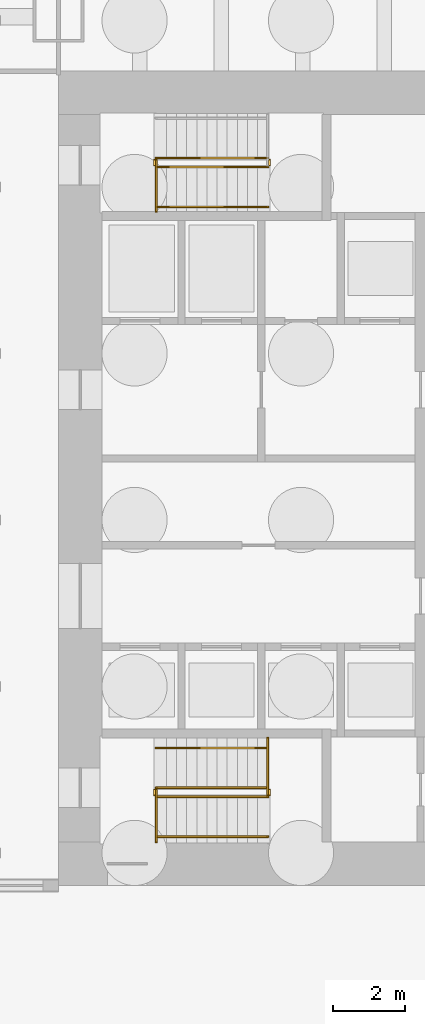
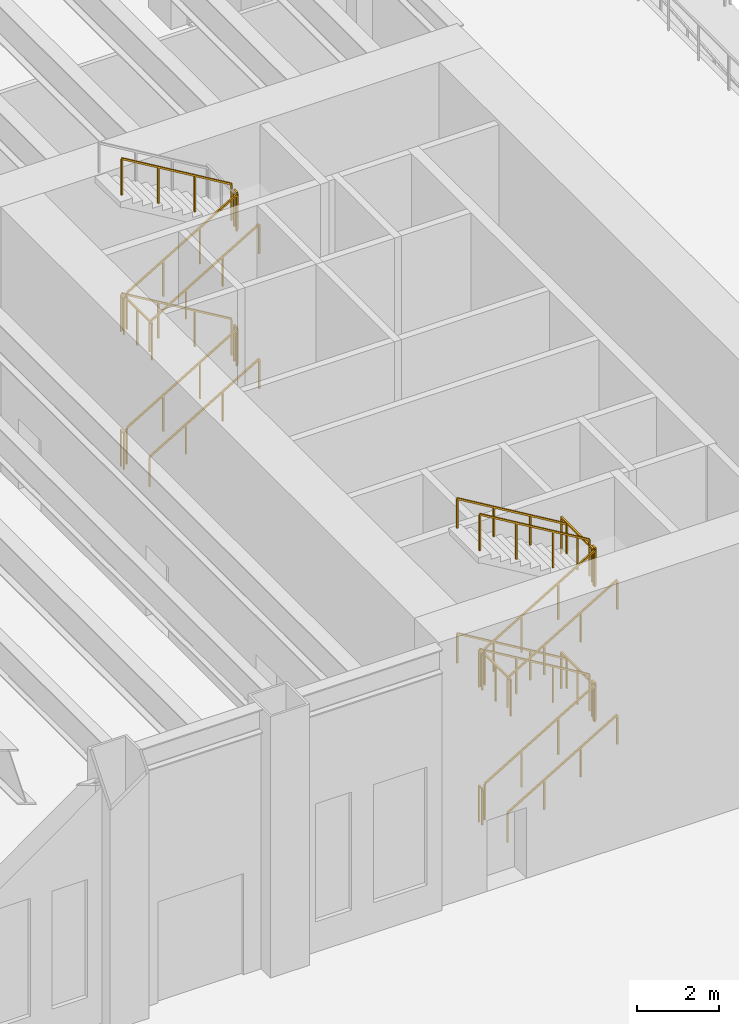
# One storey, part 20 of 26: 26 railings.
"""IFC4 building model written with IfcOpenShell, lengths in metres."""

from ifc_helpers import new_model, si_unit, direction, frame, origin, origin_2d, place, context, subcontext, project, spatial, rectangle, extrude, material, type_object, element, save


model = new_model("IFC4")

# Units and contexts
model_context = context("Model", 3, precision=1e-05, world=origin(), true_north=direction((0.0, 1.0)))
body_context = subcontext(model_context, "Body", "Model", "MODEL_VIEW")
ifc_project = project(units=[si_unit("LENGTHUNIT", "METRE"), si_unit("AREAUNIT", "SQUARE_METRE"), si_unit("VOLUMEUNIT", "CUBIC_METRE"), si_unit("PLANEANGLEUNIT", "RADIAN"), si_unit("MASSUNIT", "GRAM", prefix="KILO")], contexts=[model_context])

# Site, building, storey
site_placement = place(None, origin())
site = spatial("IfcSite", under=ifc_project, at=site_placement, CompositionType="ELEMENT")
building_placement = place(site_placement, origin())
building = spatial("IfcBuilding", under=site, at=building_placement, Name="Sennacour Bend Tower", CompositionType="ELEMENT")
storey_placement = place(building_placement, origin())
storey = spatial("IfcBuildingStorey", under=building, at=storey_placement, Name="L00", CompositionType="ELEMENT", Elevation=0.0)

# Railings
ifc_material = material(Name="Stainless steel", Category="steel")
railing_type_1 = type_object("IfcRailingType", Name="RL-GUARD-1100", PredefinedType="GUARDRAIL", material=ifc_material)
railing_1_placement = place(storey_placement, frame((56.699951171875, 2.449951171875, 0.166748046875)))
element("IfcRailing", 1, at=railing_1_placement, inside=storey, type_object=railing_type_1, Name="L00 SA1 stair guard 1", PredefinedType="GUARDRAIL", context=body_context, shape_type="SweptSolid", body=[
    extrude(rectangle(XDim=0.048095703125, YDim=0.048095703125, at=origin_2d()), frame((0.0, 0.0, 1.076171875), z_axis=(0.859308565015, 0.0, 0.511457515432), x_axis=(0.0, 1.0, 0.0)), (0.0, 0.0, 1.0), 3.58447265625),
    extrude(rectangle(XDim=0.0419921875, YDim=0.0419921875, at=origin_2d()), origin(), (0.0, 0.0, 1.0), 1.052001953125),
    extrude(rectangle(XDim=0.0419921875, YDim=0.0419921875, at=origin_2d()), frame((1.026611328125, 0.0, 0.611083984375)), (0.0, 0.0, 1.0), 1.052001953125),
    extrude(rectangle(XDim=0.0419921875, YDim=0.0419921875, at=origin_2d()), frame((2.053466796875, 0.0, 1.22216796875)), (0.0, 0.0, 1.0), 1.052001953125),
    extrude(rectangle(XDim=0.0419921875, YDim=0.0419921875, at=origin_2d()), frame((3.080078125, 0.0, 1.833251953125)), (0.0, 0.0, 1.0), 1.052001953125),
])
railing_2_placement = place(storey_placement, frame((59.830078125, 2.5, 2.0)))
element("IfcRailing", 2, at=railing_2_placement, inside=storey, type_object=railing_type_1, Name="L00 SA1 stair guard 2", PredefinedType="GUARDRAIL", context=body_context, shape_type="SweptSolid", body=[
    extrude(rectangle(XDim=0.048095703125, YDim=0.048095703125, at=origin_2d()), frame((0.0, 0.0, 1.076171875), z_axis=(0.0, 1.0, 0.0), x_axis=(-1.0, 0.0, 0.0)), (0.0, 0.0, 1.0), 0.14990234375),
    extrude(rectangle(XDim=0.0419921875, YDim=0.0419921875, at=origin_2d()), origin(), (0.0, 0.0, 1.0), 1.052001953125),
    extrude(rectangle(XDim=0.0419921875, YDim=0.0419921875, at=origin_2d()), frame((0.0, 0.14990234375, 0.0)), (0.0, 0.0, 1.0), 1.052001953125),
])
railing_3_placement = place(storey_placement, frame((59.780029296875, 2.699951171875, 2.166748046875)))
element("IfcRailing", 3, at=railing_3_placement, inside=storey, type_object=railing_type_1, Name="L00 SA1 stair guard 4", PredefinedType="GUARDRAIL", context=body_context, shape_type="SweptSolid", body=[
    extrude(rectangle(XDim=0.048095703125, YDim=0.048095703125, at=origin_2d()), frame((0.0, 0.0, 1.076171875), z_axis=(-0.859308565015, 0.0, 0.511457515432), x_axis=(0.0, -1.0, 0.0)), (0.0, 0.0, 1.0), 3.58447265625),
    extrude(rectangle(XDim=0.0419921875, YDim=0.0419921875, at=origin_2d()), origin(), (0.0, 0.0, 1.0), 1.052001953125),
    extrude(rectangle(XDim=0.0419921875, YDim=0.0419921875, at=origin_2d()), frame((-1.026611328125, 0.0, 0.611083984375)), (0.0, 0.0, 1.0), 1.052001953125),
    extrude(rectangle(XDim=0.0419921875, YDim=0.0419921875, at=origin_2d()), frame((-2.053466796875, 0.0, 1.22216796875)), (0.0, 0.0, 1.0), 1.052001953125),
    extrude(rectangle(XDim=0.0419921875, YDim=0.0419921875, at=origin_2d()), frame((-3.080078125, 0.0, 1.833251953125)), (0.0, 0.0, 1.0), 1.052001953125),
])
railing_4_placement = place(storey_placement, frame((56.64990234375, 2.5, 4.0)))
element("IfcRailing", 4, at=railing_4_placement, inside=storey, type_object=railing_type_1, Name="L00 SA1 stair guard 5", PredefinedType="GUARDRAIL", context=body_context, shape_type="SweptSolid", body=[
    extrude(rectangle(XDim=0.048095703125, YDim=0.048095703125, at=origin_2d()), frame((0.0, 0.0, 1.076171875), z_axis=(0.0, 1.0, 0.0), x_axis=(-1.0, 0.0, 0.0)), (0.0, 0.0, 1.0), 0.14990234375),
    extrude(rectangle(XDim=0.0419921875, YDim=0.0419921875, at=origin_2d()), origin(), (0.0, 0.0, 1.0), 1.052001953125),
    extrude(rectangle(XDim=0.0419921875, YDim=0.0419921875, at=origin_2d()), frame((0.0, 0.14990234375, 0.0)), (0.0, 0.0, 1.0), 1.052001953125),
])
railing_5_placement = place(storey_placement, frame((56.699951171875, 2.449951171875, 4.166748046875)))
element("IfcRailing", 5, at=railing_5_placement, inside=storey, type_object=railing_type_1, Name="L00 SA1 stair guard 8", PredefinedType="GUARDRAIL", context=body_context, shape_type="SweptSolid", body=[
    extrude(rectangle(XDim=0.048095703125, YDim=0.048095703125, at=origin_2d()), frame((0.0, 0.0, 1.076171875), z_axis=(0.859308565015, 0.0, 0.511457515432), x_axis=(0.0, 1.0, 0.0)), (0.0, 0.0, 1.0), 3.58447265625),
    extrude(rectangle(XDim=0.0419921875, YDim=0.0419921875, at=origin_2d()), origin(), (0.0, 0.0, 1.0), 1.052001953125),
    extrude(rectangle(XDim=0.0419921875, YDim=0.0419921875, at=origin_2d()), frame((1.026611328125, 0.0, 0.611083984375)), (0.0, 0.0, 1.0), 1.052001953125),
    extrude(rectangle(XDim=0.0419921875, YDim=0.0419921875, at=origin_2d()), frame((2.053466796875, 0.0, 1.22216796875)), (0.0, 0.0, 1.0), 1.052001953125),
    extrude(rectangle(XDim=0.0419921875, YDim=0.0419921875, at=origin_2d()), frame((3.080078125, 0.0, 1.833251953125)), (0.0, 0.0, 1.0), 1.052001953125),
])
railing_6_placement = place(storey_placement, frame((59.830078125, 2.5, 6.0)))
element("IfcRailing", 6, at=railing_6_placement, inside=storey, type_object=railing_type_1, Name="L00 SA1 stair guard 9", PredefinedType="GUARDRAIL", context=body_context, shape_type="SweptSolid", body=[
    extrude(rectangle(XDim=0.048095703125, YDim=0.048095703125, at=origin_2d()), frame((0.0, 0.0, 1.076171875), z_axis=(0.0, 1.0, 0.0), x_axis=(-1.0, 0.0, 0.0)), (0.0, 0.0, 1.0), 0.14990234375),
    extrude(rectangle(XDim=0.0419921875, YDim=0.0419921875, at=origin_2d()), origin(), (0.0, 0.0, 1.0), 1.052001953125),
    extrude(rectangle(XDim=0.0419921875, YDim=0.0419921875, at=origin_2d()), frame((0.0, 0.14990234375, 0.0)), (0.0, 0.0, 1.0), 1.052001953125),
])
railing_7_placement = place(storey_placement, frame((59.780029296875, 2.699951171875, 6.166748046875)))
element("IfcRailing", 7, at=railing_7_placement, inside=storey, type_object=railing_type_1, Name="L00 SA1 stair guard 11", PredefinedType="GUARDRAIL", context=body_context, shape_type="SweptSolid", body=[
    extrude(rectangle(XDim=0.048095703125, YDim=0.048095703125, at=origin_2d()), frame((0.0, 0.0, 1.076171875), z_axis=(-0.859308565015, 0.0, 0.511457515432), x_axis=(0.0, -1.0, 0.0)), (0.0, 0.0, 1.0), 3.58447265625),
    extrude(rectangle(XDim=0.0419921875, YDim=0.0419921875, at=origin_2d()), origin(), (0.0, 0.0, 1.0), 1.052001953125),
    extrude(rectangle(XDim=0.0419921875, YDim=0.0419921875, at=origin_2d()), frame((-1.026611328125, 0.0, 0.611083984375)), (0.0, 0.0, 1.0), 1.052001953125),
    extrude(rectangle(XDim=0.0419921875, YDim=0.0419921875, at=origin_2d()), frame((-2.053466796875, 0.0, 1.22216796875)), (0.0, 0.0, 1.0), 1.052001953125),
    extrude(rectangle(XDim=0.0419921875, YDim=0.0419921875, at=origin_2d()), frame((-3.080078125, 0.0, 1.833251953125)), (0.0, 0.0, 1.0), 1.052001953125),
])
railing_8_placement = place(storey_placement, frame((56.64990234375, 2.5, 0.0)))
element("IfcRailing", 8, at=railing_8_placement, inside=storey, type_object=railing_type_1, Name="L00 SA1 stair guard 12", PredefinedType="GUARDRAIL", context=body_context, shape_type="SweptSolid", body=[
    extrude(rectangle(XDim=0.048095703125, YDim=0.048095703125, at=origin_2d()), frame((0.0, 0.0, 1.076171875), z_axis=(0.0, 1.0, 0.0), x_axis=(-1.0, 0.0, 0.0)), (0.0, 0.0, 1.0), 0.14990234375),
    extrude(rectangle(XDim=0.0419921875, YDim=0.0419921875, at=origin_2d()), origin(), (0.0, 0.0, 1.0), 1.052001953125),
    extrude(rectangle(XDim=0.0419921875, YDim=0.0419921875, at=origin_2d()), frame((0.0, 0.14990234375, 0.0)), (0.0, 0.0, 1.0), 1.052001953125),
])
railing_9_placement = place(storey_placement, frame((59.780029296875, 2.5, 2.0)))
element("IfcRailing", 9, at=railing_9_placement, inside=storey, type_object=railing_type_1, Name="L00 SA1 landing edge guard 1", PredefinedType="GUARDRAIL", context=body_context, shape_type="SweptSolid", body=[
    extrude(rectangle(XDim=0.048095703125, YDim=0.048095703125, at=origin_2d()), frame((0.0, 0.0, 1.076171875), z_axis=(0.0, 1.0, 0.0), x_axis=(-1.0, 0.0, 0.0)), (0.0, 0.0, 1.0), 1.574951171875),
    extrude(rectangle(XDim=0.0419921875, YDim=0.0419921875, at=origin_2d()), origin(), (0.0, 0.0, 1.0), 1.052001953125),
    extrude(rectangle(XDim=0.0419921875, YDim=0.0419921875, at=origin_2d()), frame((0.0, 0.78759765625, 0.0)), (0.0, 0.0, 1.0), 1.052001953125),
    extrude(rectangle(XDim=0.0419921875, YDim=0.0419921875, at=origin_2d()), frame((0.0, 1.574951171875, 0.0)), (0.0, 0.0, 1.0), 1.052001953125),
])
railing_10_placement = place(storey_placement, frame((56.699951171875, 2.64990234375, 4.0)))
element("IfcRailing", 10, at=railing_10_placement, inside=storey, type_object=railing_type_1, Name="L00 SA1 landing edge guard 2", PredefinedType="GUARDRAIL", context=body_context, shape_type="SweptSolid", body=[
    extrude(rectangle(XDim=0.048095703125, YDim=0.048095703125, at=origin_2d()), frame((0.0, 0.0, 1.076171875), z_axis=(0.0, -1.0, 0.0), x_axis=(1.0, 0.0, 0.0)), (0.0, 0.0, 1.0), 1.449951171875),
    extrude(rectangle(XDim=0.0419921875, YDim=0.0419921875, at=origin_2d()), origin(), (0.0, 0.0, 1.0), 1.052001953125),
    extrude(rectangle(XDim=0.0419921875, YDim=0.0419921875, at=origin_2d()), frame((0.0, -0.72509765625, 0.0)), (0.0, 0.0, 1.0), 1.052001953125),
    extrude(rectangle(XDim=0.0419921875, YDim=0.0419921875, at=origin_2d()), frame((0.0, -1.449951171875, 0.0)), (0.0, 0.0, 1.0), 1.052001953125),
])
railing_11_placement = place(storey_placement, frame((59.780029296875, 2.5, 6.0)))
element("IfcRailing", 11, at=railing_11_placement, inside=storey, type_object=railing_type_1, Name="L00 SA1 landing edge guard 3", PredefinedType="GUARDRAIL", context=body_context, shape_type="SweptSolid", body=[
    extrude(rectangle(XDim=0.048095703125, YDim=0.048095703125, at=origin_2d()), frame((0.0, 0.0, 1.076171875), z_axis=(0.0, 1.0, 0.0), x_axis=(-1.0, 0.0, 0.0)), (0.0, 0.0, 1.0), 1.574951171875),
    extrude(rectangle(XDim=0.0419921875, YDim=0.0419921875, at=origin_2d()), origin(), (0.0, 0.0, 1.0), 1.052001953125),
    extrude(rectangle(XDim=0.0419921875, YDim=0.0419921875, at=origin_2d()), frame((0.0, 0.78759765625, 0.0)), (0.0, 0.0, 1.0), 1.052001953125),
    extrude(rectangle(XDim=0.0419921875, YDim=0.0419921875, at=origin_2d()), frame((0.0, 1.574951171875, 0.0)), (0.0, 0.0, 1.0), 1.052001953125),
])
railing_12_placement = place(storey_placement, frame((56.699951171875, 19.85009765625, 0.166748046875)))
element("IfcRailing", 12, at=railing_12_placement, inside=storey, type_object=railing_type_1, Name="L00 SA2 stair guard 1", PredefinedType="GUARDRAIL", context=body_context, shape_type="SweptSolid", body=[
    extrude(rectangle(XDim=0.048095703125, YDim=0.048095703125, at=origin_2d()), frame((0.0, 0.0, 1.076171875), z_axis=(0.859308565015, 0.0, 0.511457515432), x_axis=(0.0, 1.0, 0.0)), (0.0, 0.0, 1.0), 3.58447265625),
    extrude(rectangle(XDim=0.0419921875, YDim=0.0419921875, at=origin_2d()), origin(), (0.0, 0.0, 1.0), 1.052001953125),
    extrude(rectangle(XDim=0.0419921875, YDim=0.0419921875, at=origin_2d()), frame((1.026611328125, 0.0, 0.611083984375)), (0.0, 0.0, 1.0), 1.052001953125),
    extrude(rectangle(XDim=0.0419921875, YDim=0.0419921875, at=origin_2d()), frame((2.053466796875, 0.0, 1.22216796875)), (0.0, 0.0, 1.0), 1.052001953125),
    extrude(rectangle(XDim=0.0419921875, YDim=0.0419921875, at=origin_2d()), frame((3.080078125, 0.0, 1.833251953125)), (0.0, 0.0, 1.0), 1.052001953125),
])
railing_13_placement = place(storey_placement, frame((59.830078125, 19.89990234375, 2.0)))
element("IfcRailing", 13, at=railing_13_placement, inside=storey, type_object=railing_type_1, Name="L00 SA2 stair guard 2", PredefinedType="GUARDRAIL", context=body_context, shape_type="SweptSolid", body=[
    extrude(rectangle(XDim=0.048095703125, YDim=0.048095703125, at=origin_2d()), frame((0.0, 0.0, 1.076171875), z_axis=(0.0, 1.0, 0.0), x_axis=(-1.0, 0.0, 0.0)), (0.0, 0.0, 1.0), 0.150146484375),
    extrude(rectangle(XDim=0.0419921875, YDim=0.0419921875, at=origin_2d()), origin(), (0.0, 0.0, 1.0), 1.052001953125),
    extrude(rectangle(XDim=0.0419921875, YDim=0.0419921875, at=origin_2d()), frame((0.0, 0.150146484375, 0.0)), (0.0, 0.0, 1.0), 1.052001953125),
])
railing_14_placement = place(storey_placement, frame((59.780029296875, 20.10009765625, 2.166748046875)))
element("IfcRailing", 14, at=railing_14_placement, inside=storey, type_object=railing_type_1, Name="L00 SA2 stair guard 4", PredefinedType="GUARDRAIL", context=body_context, shape_type="SweptSolid", body=[
    extrude(rectangle(XDim=0.048095703125, YDim=0.048095703125, at=origin_2d()), frame((0.0, 0.0, 1.076171875), z_axis=(-0.859308565015, 0.0, 0.511457515432), x_axis=(0.0, -1.0, 0.0)), (0.0, 0.0, 1.0), 3.58447265625),
    extrude(rectangle(XDim=0.0419921875, YDim=0.0419921875, at=origin_2d()), origin(), (0.0, 0.0, 1.0), 1.052001953125),
    extrude(rectangle(XDim=0.0419921875, YDim=0.0419921875, at=origin_2d()), frame((-1.026611328125, 0.0, 0.611083984375)), (0.0, 0.0, 1.0), 1.052001953125),
    extrude(rectangle(XDim=0.0419921875, YDim=0.0419921875, at=origin_2d()), frame((-2.053466796875, 0.0, 1.22216796875)), (0.0, 0.0, 1.0), 1.052001953125),
    extrude(rectangle(XDim=0.0419921875, YDim=0.0419921875, at=origin_2d()), frame((-3.080078125, 0.0, 1.833251953125)), (0.0, 0.0, 1.0), 1.052001953125),
])
railing_15_placement = place(storey_placement, frame((56.64990234375, 19.89990234375, 4.0)))
element("IfcRailing", 15, at=railing_15_placement, inside=storey, type_object=railing_type_1, Name="L00 SA2 stair guard 5", PredefinedType="GUARDRAIL", context=body_context, shape_type="SweptSolid", body=[
    extrude(rectangle(XDim=0.048095703125, YDim=0.048095703125, at=origin_2d()), frame((0.0, 0.0, 1.076171875), z_axis=(0.0, 1.0, 0.0), x_axis=(-1.0, 0.0, 0.0)), (0.0, 0.0, 1.0), 0.150146484375),
    extrude(rectangle(XDim=0.0419921875, YDim=0.0419921875, at=origin_2d()), origin(), (0.0, 0.0, 1.0), 1.052001953125),
    extrude(rectangle(XDim=0.0419921875, YDim=0.0419921875, at=origin_2d()), frame((0.0, 0.150146484375, 0.0)), (0.0, 0.0, 1.0), 1.052001953125),
])
railing_16_placement = place(storey_placement, frame((56.699951171875, 19.85009765625, 4.166748046875)))
element("IfcRailing", 16, at=railing_16_placement, inside=storey, type_object=railing_type_1, Name="L00 SA2 stair guard 8", PredefinedType="GUARDRAIL", context=body_context, shape_type="SweptSolid", body=[
    extrude(rectangle(XDim=0.048095703125, YDim=0.048095703125, at=origin_2d()), frame((0.0, 0.0, 1.076171875), z_axis=(0.859308565015, 0.0, 0.511457515432), x_axis=(0.0, 1.0, 0.0)), (0.0, 0.0, 1.0), 3.58447265625),
    extrude(rectangle(XDim=0.0419921875, YDim=0.0419921875, at=origin_2d()), origin(), (0.0, 0.0, 1.0), 1.052001953125),
    extrude(rectangle(XDim=0.0419921875, YDim=0.0419921875, at=origin_2d()), frame((1.026611328125, 0.0, 0.611083984375)), (0.0, 0.0, 1.0), 1.052001953125),
    extrude(rectangle(XDim=0.0419921875, YDim=0.0419921875, at=origin_2d()), frame((2.053466796875, 0.0, 1.22216796875)), (0.0, 0.0, 1.0), 1.052001953125),
    extrude(rectangle(XDim=0.0419921875, YDim=0.0419921875, at=origin_2d()), frame((3.080078125, 0.0, 1.833251953125)), (0.0, 0.0, 1.0), 1.052001953125),
])
railing_17_placement = place(storey_placement, frame((59.830078125, 19.89990234375, 6.0)))
element("IfcRailing", 17, at=railing_17_placement, inside=storey, type_object=railing_type_1, Name="L00 SA2 stair guard 9", PredefinedType="GUARDRAIL", context=body_context, shape_type="SweptSolid", body=[
    extrude(rectangle(XDim=0.048095703125, YDim=0.048095703125, at=origin_2d()), frame((0.0, 0.0, 1.076171875), z_axis=(0.0, 1.0, 0.0), x_axis=(-1.0, 0.0, 0.0)), (0.0, 0.0, 1.0), 0.150146484375),
    extrude(rectangle(XDim=0.0419921875, YDim=0.0419921875, at=origin_2d()), origin(), (0.0, 0.0, 1.0), 1.052001953125),
    extrude(rectangle(XDim=0.0419921875, YDim=0.0419921875, at=origin_2d()), frame((0.0, 0.150146484375, 0.0)), (0.0, 0.0, 1.0), 1.052001953125),
])
railing_18_placement = place(storey_placement, frame((59.780029296875, 20.10009765625, 6.166748046875)))
element("IfcRailing", 18, at=railing_18_placement, inside=storey, type_object=railing_type_1, Name="L00 SA2 stair guard 11", PredefinedType="GUARDRAIL", context=body_context, shape_type="SweptSolid", body=[
    extrude(rectangle(XDim=0.048095703125, YDim=0.048095703125, at=origin_2d()), frame((0.0, 0.0, 1.076171875), z_axis=(-0.859308565015, 0.0, 0.511457515432), x_axis=(0.0, -1.0, 0.0)), (0.0, 0.0, 1.0), 3.58447265625),
    extrude(rectangle(XDim=0.0419921875, YDim=0.0419921875, at=origin_2d()), origin(), (0.0, 0.0, 1.0), 1.052001953125),
    extrude(rectangle(XDim=0.0419921875, YDim=0.0419921875, at=origin_2d()), frame((-1.026611328125, 0.0, 0.611083984375)), (0.0, 0.0, 1.0), 1.052001953125),
    extrude(rectangle(XDim=0.0419921875, YDim=0.0419921875, at=origin_2d()), frame((-2.053466796875, 0.0, 1.22216796875)), (0.0, 0.0, 1.0), 1.052001953125),
    extrude(rectangle(XDim=0.0419921875, YDim=0.0419921875, at=origin_2d()), frame((-3.080078125, 0.0, 1.833251953125)), (0.0, 0.0, 1.0), 1.052001953125),
])
railing_19_placement = place(storey_placement, frame((56.64990234375, 19.89990234375, 0.0)))
element("IfcRailing", 19, at=railing_19_placement, inside=storey, type_object=railing_type_1, Name="L00 SA2 stair guard 12", PredefinedType="GUARDRAIL", context=body_context, shape_type="SweptSolid", body=[
    extrude(rectangle(XDim=0.048095703125, YDim=0.048095703125, at=origin_2d()), frame((0.0, 0.0, 1.076171875), z_axis=(0.0, 1.0, 0.0), x_axis=(-1.0, 0.0, 0.0)), (0.0, 0.0, 1.0), 0.150146484375),
    extrude(rectangle(XDim=0.0419921875, YDim=0.0419921875, at=origin_2d()), origin(), (0.0, 0.0, 1.0), 1.052001953125),
    extrude(rectangle(XDim=0.0419921875, YDim=0.0419921875, at=origin_2d()), frame((0.0, 0.150146484375, 0.0)), (0.0, 0.0, 1.0), 1.052001953125),
])
railing_20_placement = place(storey_placement, frame((56.699951171875, 20.050048828125, 4.0)))
element("IfcRailing", 20, at=railing_20_placement, inside=storey, type_object=railing_type_1, Name="L00 SA2 landing edge guard 2", PredefinedType="GUARDRAIL", context=body_context, shape_type="SweptSolid", body=[
    extrude(rectangle(XDim=0.048095703125, YDim=0.048095703125, at=origin_2d()), frame((0.0, 0.0, 1.076171875), z_axis=(0.0, -1.0, 0.0), x_axis=(1.0, 0.0, 0.0)), (0.0, 0.0, 1.0), 1.425048828125),
    extrude(rectangle(XDim=0.0419921875, YDim=0.0419921875, at=origin_2d()), origin(), (0.0, 0.0, 1.0), 1.052001953125),
    extrude(rectangle(XDim=0.0419921875, YDim=0.0419921875, at=origin_2d()), frame((0.0, -0.71240234375, 0.0)), (0.0, 0.0, 1.0), 1.052001953125),
    extrude(rectangle(XDim=0.0419921875, YDim=0.0419921875, at=origin_2d()), frame((0.0, -1.425048828125, 0.0)), (0.0, 0.0, 1.0), 1.052001953125),
])
railing_type_2 = type_object("IfcRailingType", Name="RL-HANDRAIL-900", PredefinedType="HANDRAIL", material=ifc_material)
railing_21_placement = place(storey_placement, frame((56.699951171875, 1.35009765625, 0.166748046875)))
element("IfcRailing", 21, at=railing_21_placement, inside=storey, type_object=railing_type_2, Name="L00 SA1 stair handrail 1", PredefinedType="HANDRAIL", context=body_context, shape_type="SweptSolid", body=[
    extrude(rectangle(XDim=0.048095703125, YDim=0.048095703125, at=origin_2d()), frame((0.0, 0.0, 0.8759765625), z_axis=(0.859308565015, 0.0, 0.511457515432), x_axis=(0.0, 1.0, 0.0)), (0.0, 0.0, 1.0), 3.58447265625),
    extrude(rectangle(XDim=0.0419921875, YDim=0.0419921875, at=origin_2d()), origin(), (0.0, 0.0, 1.0), 0.851806640625),
    extrude(rectangle(XDim=0.0419921875, YDim=0.0419921875, at=origin_2d()), frame((1.026611328125, 0.0, 0.611083984375)), (0.0, 0.0, 1.0), 0.851806640625),
    extrude(rectangle(XDim=0.0419921875, YDim=0.0419921875, at=origin_2d()), frame((2.053466796875, 0.0, 1.22216796875)), (0.0, 0.0, 1.0), 0.851806640625),
    extrude(rectangle(XDim=0.0419921875, YDim=0.0419921875, at=origin_2d()), frame((3.080078125, 0.0, 1.833251953125)), (0.0, 0.0, 1.0), 0.851806640625),
])
railing_22_placement = place(storey_placement, frame((59.780029296875, 3.800048828125, 2.166748046875)))
element("IfcRailing", 22, at=railing_22_placement, inside=storey, type_object=railing_type_2, Name="L00 SA1 stair handrail 2", PredefinedType="HANDRAIL", context=body_context, shape_type="SweptSolid", body=[
    extrude(rectangle(XDim=0.048095703125, YDim=0.048095703125, at=origin_2d()), frame((0.0, 0.0, 0.8759765625), z_axis=(-0.859308565015, 0.0, 0.511457515432), x_axis=(0.0, -1.0, 0.0)), (0.0, 0.0, 1.0), 3.58447265625),
    extrude(rectangle(XDim=0.0419921875, YDim=0.0419921875, at=origin_2d()), origin(), (0.0, 0.0, 1.0), 0.851806640625),
    extrude(rectangle(XDim=0.0419921875, YDim=0.0419921875, at=origin_2d()), frame((-1.026611328125, 0.0, 0.611083984375)), (0.0, 0.0, 1.0), 0.851806640625),
    extrude(rectangle(XDim=0.0419921875, YDim=0.0419921875, at=origin_2d()), frame((-2.053466796875, 0.0, 1.22216796875)), (0.0, 0.0, 1.0), 0.851806640625),
    extrude(rectangle(XDim=0.0419921875, YDim=0.0419921875, at=origin_2d()), frame((-3.080078125, 0.0, 1.833251953125)), (0.0, 0.0, 1.0), 0.851806640625),
])
railing_23_placement = place(storey_placement, frame((56.699951171875, 1.35009765625, 4.166748046875)))
element("IfcRailing", 23, at=railing_23_placement, inside=storey, type_object=railing_type_2, Name="L00 SA1 stair handrail 3", PredefinedType="HANDRAIL", context=body_context, shape_type="SweptSolid", body=[
    extrude(rectangle(XDim=0.048095703125, YDim=0.048095703125, at=origin_2d()), frame((0.0, 0.0, 0.8759765625), z_axis=(0.859308565015, 0.0, 0.511457515432), x_axis=(0.0, 1.0, 0.0)), (0.0, 0.0, 1.0), 3.58447265625),
    extrude(rectangle(XDim=0.0419921875, YDim=0.0419921875, at=origin_2d()), origin(), (0.0, 0.0, 1.0), 0.851806640625),
    extrude(rectangle(XDim=0.0419921875, YDim=0.0419921875, at=origin_2d()), frame((1.026611328125, 0.0, 0.611083984375)), (0.0, 0.0, 1.0), 0.851806640625),
    extrude(rectangle(XDim=0.0419921875, YDim=0.0419921875, at=origin_2d()), frame((2.053466796875, 0.0, 1.22216796875)), (0.0, 0.0, 1.0), 0.851806640625),
    extrude(rectangle(XDim=0.0419921875, YDim=0.0419921875, at=origin_2d()), frame((3.080078125, 0.0, 1.833251953125)), (0.0, 0.0, 1.0), 0.851806640625),
])
railing_24_placement = place(storey_placement, frame((59.780029296875, 3.800048828125, 6.166748046875)))
element("IfcRailing", 24, at=railing_24_placement, inside=storey, type_object=railing_type_2, Name="L00 SA1 stair handrail 4", PredefinedType="HANDRAIL", context=body_context, shape_type="SweptSolid", body=[
    extrude(rectangle(XDim=0.048095703125, YDim=0.048095703125, at=origin_2d()), frame((0.0, 0.0, 0.8759765625), z_axis=(-0.859308565015, 0.0, 0.511457515432), x_axis=(0.0, -1.0, 0.0)), (0.0, 0.0, 1.0), 3.58447265625),
    extrude(rectangle(XDim=0.0419921875, YDim=0.0419921875, at=origin_2d()), origin(), (0.0, 0.0, 1.0), 0.851806640625),
    extrude(rectangle(XDim=0.0419921875, YDim=0.0419921875, at=origin_2d()), frame((-1.026611328125, 0.0, 0.611083984375)), (0.0, 0.0, 1.0), 0.851806640625),
    extrude(rectangle(XDim=0.0419921875, YDim=0.0419921875, at=origin_2d()), frame((-2.053466796875, 0.0, 1.22216796875)), (0.0, 0.0, 1.0), 0.851806640625),
    extrude(rectangle(XDim=0.0419921875, YDim=0.0419921875, at=origin_2d()), frame((-3.080078125, 0.0, 1.833251953125)), (0.0, 0.0, 1.0), 0.851806640625),
])
for number, where, name in (
    (25, (56.699951171875, 18.75, 0.166748046875), "L00 SA2 stair handrail 1"),
    (26, (56.699951171875, 18.75, 4.166748046875), "L00 SA2 stair handrail 3"),
):
    element("IfcRailing", number, at=place(storey_placement, frame(where)), inside=storey, type_object=railing_type_2, Name=name, PredefinedType="HANDRAIL", context=body_context, shape_type="SweptSolid", body=[
        extrude(rectangle(XDim=0.048095703125, YDim=0.048095703125, at=origin_2d()), frame((0.0, 0.0, 0.8759765625), z_axis=(0.859308565015, 0.0, 0.511457515432), x_axis=(0.0, 1.0, 0.0)), (0.0, 0.0, 1.0), 3.58447265625),
        extrude(rectangle(XDim=0.0419921875, YDim=0.0419921875, at=origin_2d()), origin(), (0.0, 0.0, 1.0), 0.851806640625),
        extrude(rectangle(XDim=0.0419921875, YDim=0.0419921875, at=origin_2d()), frame((1.026611328125, 0.0, 0.611083984375)), (0.0, 0.0, 1.0), 0.851806640625),
        extrude(rectangle(XDim=0.0419921875, YDim=0.0419921875, at=origin_2d()), frame((2.053466796875, 0.0, 1.22216796875)), (0.0, 0.0, 1.0), 0.851806640625),
        extrude(rectangle(XDim=0.0419921875, YDim=0.0419921875, at=origin_2d()), frame((3.080078125, 0.0, 1.833251953125)), (0.0, 0.0, 1.0), 0.851806640625),
    ])

save(model, "model.ifc")
